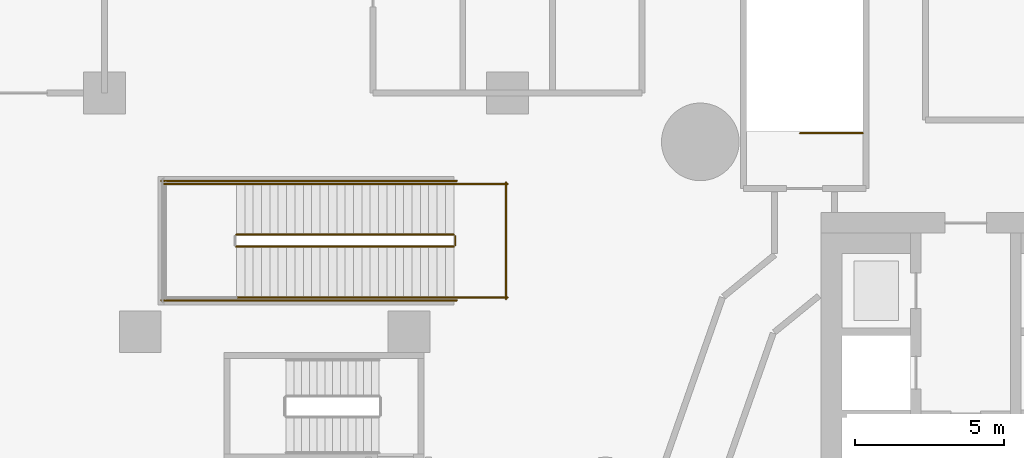
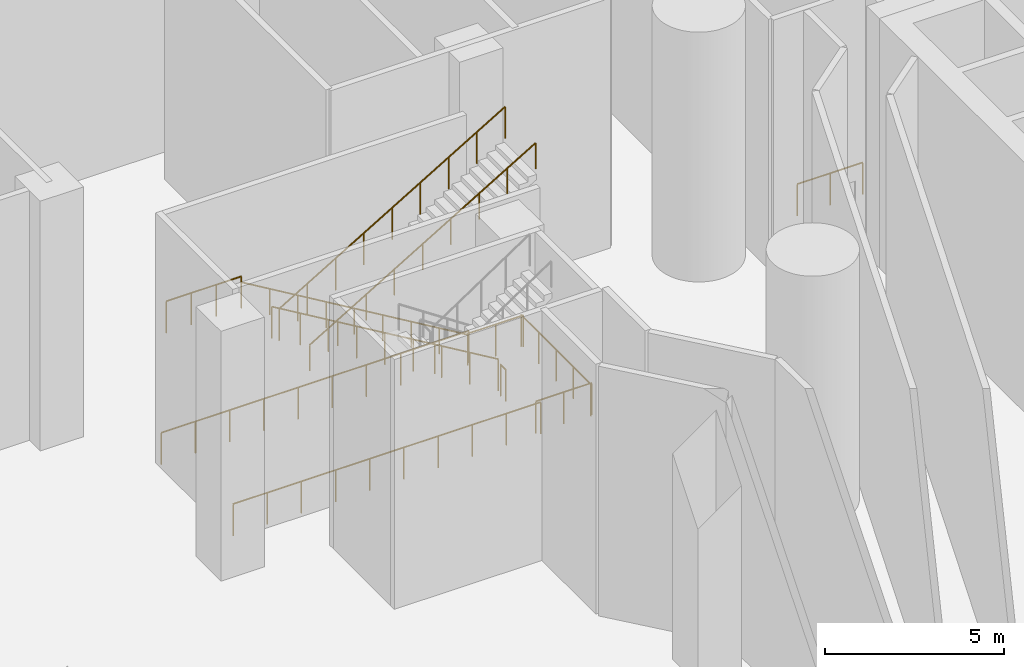
# One storey, part 46 of 54: 12 railings.
"""IFC4 building model written with IfcOpenShell, lengths in metres."""

from ifc_helpers import new_model, si_unit, direction, frame, origin, origin_2d, place, context, subcontext, project, spatial, circle, extrude, material, type_object, element, save


model = new_model("IFC4")

# Units and contexts
model_context = context("Model", 3, precision=1e-05, world=origin(), true_north=direction((0.0, 1.0)))
body_context = subcontext(model_context, "Body", "Model", "MODEL_VIEW")
ifc_project = project(units=[si_unit("LENGTHUNIT", "METRE"), si_unit("AREAUNIT", "SQUARE_METRE"), si_unit("VOLUMEUNIT", "CUBIC_METRE"), si_unit("PLANEANGLEUNIT", "RADIAN"), si_unit("MASSUNIT", "GRAM", prefix="KILO")], contexts=[model_context])

# Site, building, storey
site_placement = place(None, origin())
site = spatial("IfcSite", under=ifc_project, at=site_placement, CompositionType="ELEMENT")
building_placement = place(site_placement, origin())
building = spatial("IfcBuilding", under=site, at=building_placement, Name="Tamarind Cross Interchange Tower", CompositionType="ELEMENT")
storey_placement = place(building_placement, origin())
storey = spatial("IfcBuildingStorey", under=building, at=storey_placement, Name="L00", CompositionType="ELEMENT", Elevation=0.0)

# Railings
ifc_material_1 = material(Name="Public stair guard")
railing_type_1 = type_object("IfcRailingType", Name="Public stair guard", PredefinedType="GUARDRAIL", material=ifc_material_1)
railing_1_placement = place(storey_placement, frame((-28.800048828125, 8.75, 0.166748046875)))
element("IfcRailing", 1, at=railing_1_placement, inside=storey, type_object=railing_type_1, Name="L00 PS-W stair guard 1", PredefinedType="GUARDRAIL", context=body_context, shape_type="SweptSolid", body=[
    extrude(circle(Radius=0.02392578125, at=origin_2d()), frame((0.0, 0.0, 1.076171875), z_axis=(-0.859298010897, 0.0, 0.511475247171), x_axis=(0.0, -1.0, 0.0)), (0.0, 0.0, 1.0), 8.47216796875),
    extrude(circle(Radius=0.02099609375, at=origin_2d()), origin(), (0.0, 0.0, 1.0), 1.052001953125),
    extrude(circle(Radius=0.02099609375, at=origin_2d()), frame((-0.909912109375, 0.0, 0.541748046875)), (0.0, 0.0, 1.0), 1.052001953125),
    extrude(circle(Radius=0.02099609375, at=origin_2d()), frame((-1.820068359375, 0.0, 1.083251953125)), (0.0, 0.0, 1.0), 1.052001953125),
    extrude(circle(Radius=0.02099609375, at=origin_2d()), frame((-2.72998046875, 0.0, 1.625)), (0.0, 0.0, 1.0), 1.052001953125),
    extrude(circle(Radius=0.02099609375, at=origin_2d()), frame((-3.64013671875, 0.0, 2.16650390625)), (0.0, 0.0, 1.0), 1.052001953125),
    extrude(circle(Radius=0.02099609375, at=origin_2d()), frame((-4.550048828125, 0.0, 2.708251953125)), (0.0, 0.0, 1.0), 1.052001953125),
    extrude(circle(Radius=0.02099609375, at=origin_2d()), frame((-5.4599609375, 0.0, 3.25)), (0.0, 0.0, 1.0), 1.052001953125),
    extrude(circle(Radius=0.02099609375, at=origin_2d()), frame((-6.3701171875, 0.0, 3.79150390625)), (0.0, 0.0, 1.0), 1.052001953125),
    extrude(circle(Radius=0.02099609375, at=origin_2d()), frame((-7.280029296875, 0.0, 4.333251953125)), (0.0, 0.0, 1.0), 1.052001953125),
])
railing_2_placement = place(storey_placement, frame((-36.080078125, 10.449951171875, 4.5)))
element("IfcRailing", 2, at=railing_2_placement, inside=storey, type_object=railing_type_1, Name="L00 PS-W stair guard 3", PredefinedType="GUARDRAIL", context=body_context, shape_type="SweptSolid", body=[
    extrude(circle(Radius=0.02392578125, at=origin_2d()), frame((0.0, 0.0, 1.076171875), z_axis=(-1.0, 0.0, 0.0), x_axis=(0.0, -1.0, 0.0)), (0.0, 0.0, 1.0), 2.419921875),
    extrude(circle(Radius=0.02099609375, at=origin_2d()), origin(), (0.0, 0.0, 1.0), 1.052001953125),
    extrude(circle(Radius=0.02099609375, at=origin_2d()), frame((-0.806640625, 0.0, 0.0)), (0.0, 0.0, 1.0), 1.052001953125),
    extrude(circle(Radius=0.02099609375, at=origin_2d()), frame((-1.61328125, 0.0, 0.0)), (0.0, 0.0, 1.0), 1.052001953125),
    extrude(circle(Radius=0.02099609375, at=origin_2d()), frame((-2.419921875, 0.0, 0.0)), (0.0, 0.0, 1.0), 1.052001953125),
])
railing_3_placement = place(storey_placement, frame((-36.080078125, 8.35009765625, 4.666748046875)))
element("IfcRailing", 3, at=railing_3_placement, inside=storey, type_object=railing_type_1, Name="L00 PS-W stair guard 6", PredefinedType="GUARDRAIL", context=body_context, shape_type="SweptSolid", body=[
    extrude(circle(Radius=0.02392578125, at=origin_2d()), frame((0.0, 0.0, 1.076171875), z_axis=(0.859298010897, 0.0, 0.511475247171), x_axis=(0.0, 1.0, 0.0)), (0.0, 0.0, 1.0), 8.47216796875),
    extrude(circle(Radius=0.02099609375, at=origin_2d()), origin(), (0.0, 0.0, 1.0), 1.052001953125),
    extrude(circle(Radius=0.02099609375, at=origin_2d()), frame((0.909912109375, 0.0, 0.541748046875)), (0.0, 0.0, 1.0), 1.052001953125),
    extrude(circle(Radius=0.02099609375, at=origin_2d()), frame((1.820068359375, 0.0, 1.083251953125)), (0.0, 0.0, 1.0), 1.052001953125),
    extrude(circle(Radius=0.02099609375, at=origin_2d()), frame((2.72998046875, 0.0, 1.625)), (0.0, 0.0, 1.0), 1.052001953125),
    extrude(circle(Radius=0.02099609375, at=origin_2d()), frame((3.64013671875, 0.0, 2.16650390625)), (0.0, 0.0, 1.0), 1.052001953125),
    extrude(circle(Radius=0.02099609375, at=origin_2d()), frame((4.550048828125, 0.0, 2.708251953125)), (0.0, 0.0, 1.0), 1.052001953125),
    extrude(circle(Radius=0.02099609375, at=origin_2d()), frame((5.4599609375, 0.0, 3.25)), (0.0, 0.0, 1.0), 1.052001953125),
    extrude(circle(Radius=0.02099609375, at=origin_2d()), frame((6.3701171875, 0.0, 3.79150390625)), (0.0, 0.0, 1.0), 1.052001953125),
    extrude(circle(Radius=0.02099609375, at=origin_2d()), frame((7.280029296875, 0.0, 4.333251953125)), (0.0, 0.0, 1.0), 1.052001953125),
])
railing_4_placement = place(storey_placement, frame((-28.75, 8.699951171875, 0.0)))
element("IfcRailing", 4, at=railing_4_placement, inside=storey, type_object=railing_type_1, Name="L00 PS-W stair guard 7", PredefinedType="GUARDRAIL", context=body_context, shape_type="SweptSolid", body=[
    extrude(circle(Radius=0.02392578125, at=origin_2d()), frame((0.0, 0.0, 1.076171875), z_axis=(0.0, -1.0, 0.0), x_axis=(1.0, 0.0, 0.0)), (0.0, 0.0, 1.0), 0.300048828125),
    extrude(circle(Radius=0.02099609375, at=origin_2d()), origin(), (0.0, 0.0, 1.0), 1.052001953125),
    extrude(circle(Radius=0.02099609375, at=origin_2d()), frame((0.0, -0.300048828125, 0.0)), (0.0, 0.0, 1.0), 1.052001953125),
])
for number, where, name in (
    (5, (-27.0, 10.449951171875, 0.0), "L00 PS-W stair guard 8"),
    (6, (-27.0, 6.64990234375, 0.0), "L00 PS-W stair guard 9"),
):
    element("IfcRailing", number, at=place(storey_placement, frame(where)), inside=storey, type_object=railing_type_1, Name=name, PredefinedType="GUARDRAIL", context=body_context, shape_type="SweptSolid", body=[
        extrude(circle(Radius=0.02392578125, at=origin_2d()), frame((0.0, 0.0, 1.076171875), z_axis=(-1.0, 0.0, 0.0), x_axis=(0.0, -1.0, 0.0)), (0.0, 0.0, 1.0), 1.800048828125),
        extrude(circle(Radius=0.02099609375, at=origin_2d()), origin(), (0.0, 0.0, 1.0), 1.052001953125),
        extrude(circle(Radius=0.02099609375, at=origin_2d()), frame((-0.89990234375, 0.0, 0.0)), (0.0, 0.0, 1.0), 1.052001953125),
        extrude(circle(Radius=0.02099609375, at=origin_2d()), frame((-1.800048828125, 0.0, 0.0)), (0.0, 0.0, 1.0), 1.052001953125),
    ])
railing_5_placement = place(storey_placement, frame((-27.050048828125, 10.5, 0.0)))
element("IfcRailing", 7, at=railing_5_placement, inside=storey, type_object=railing_type_1, Name="L00 PS-W stair guard 10", PredefinedType="GUARDRAIL", context=body_context, shape_type="SweptSolid", body=[
    extrude(circle(Radius=0.02392578125, at=origin_2d()), frame((0.0, 0.0, 1.076171875), z_axis=(0.0, -1.0, 0.0), x_axis=(1.0, 0.0, 0.0)), (0.0, 0.0, 1.0), 3.89990234375),
    extrude(circle(Radius=0.02099609375, at=origin_2d()), origin(), (0.0, 0.0, 1.0), 1.052001953125),
    extrude(circle(Radius=0.02099609375, at=origin_2d()), frame((0.0, -0.97509765625, 0.0)), (0.0, 0.0, 1.0), 1.052001953125),
    extrude(circle(Radius=0.02099609375, at=origin_2d()), frame((0.0, -1.949951171875, 0.0)), (0.0, 0.0, 1.0), 1.052001953125),
    extrude(circle(Radius=0.02099609375, at=origin_2d()), frame((0.0, -2.9248046875, 0.0)), (0.0, 0.0, 1.0), 1.052001953125),
    extrude(circle(Radius=0.02099609375, at=origin_2d()), frame((0.0, -3.89990234375, 0.0)), (0.0, 0.0, 1.0), 1.052001953125),
])
for number, where, name in (
    (8, (-28.699951171875, 10.550048828125, 0.0), "L00 PS-W stair guard 11"),
    (9, (-28.699951171875, 6.550048828125, 0.0), "L00 PS-W stair guard 12"),
):
    element("IfcRailing", number, at=place(storey_placement, frame(where)), inside=storey, type_object=railing_type_1, Name=name, PredefinedType="GUARDRAIL", context=body_context, shape_type="SweptSolid", body=[
        extrude(circle(Radius=0.02392578125, at=origin_2d()), frame((0.0, 0.0, 1.076171875), z_axis=(-1.0, 0.0, 0.0), x_axis=(0.0, -1.0, 0.0)), (0.0, 0.0, 1.0), 9.900146484375),
        extrude(circle(Radius=0.02099609375, at=origin_2d()), origin(), (0.0, 0.0, 1.0), 1.052001953125),
        extrude(circle(Radius=0.02099609375, at=origin_2d()), frame((-1.10009765625, 0.0, 0.0)), (0.0, 0.0, 1.0), 1.052001953125),
        extrude(circle(Radius=0.02099609375, at=origin_2d()), frame((-2.199951171875, 0.0, 0.0)), (0.0, 0.0, 1.0), 1.052001953125),
        extrude(circle(Radius=0.02099609375, at=origin_2d()), frame((-3.300048828125, 0.0, 0.0)), (0.0, 0.0, 1.0), 1.052001953125),
        extrude(circle(Radius=0.02099609375, at=origin_2d()), frame((-4.400146484375, 0.0, 0.0)), (0.0, 0.0, 1.0), 1.052001953125),
        extrude(circle(Radius=0.02099609375, at=origin_2d()), frame((-5.5, 0.0, 0.0)), (0.0, 0.0, 1.0), 1.052001953125),
        extrude(circle(Radius=0.02099609375, at=origin_2d()), frame((-6.60009765625, 0.0, 0.0)), (0.0, 0.0, 1.0), 1.052001953125),
        extrude(circle(Radius=0.02099609375, at=origin_2d()), frame((-7.7001953125, 0.0, 0.0)), (0.0, 0.0, 1.0), 1.052001953125),
        extrude(circle(Radius=0.02099609375, at=origin_2d()), frame((-8.800048828125, 0.0, 0.0)), (0.0, 0.0, 1.0), 1.052001953125),
        extrude(circle(Radius=0.02099609375, at=origin_2d()), frame((-9.900146484375, 0.0, 0.0)), (0.0, 0.0, 1.0), 1.052001953125),
    ])
railing_6_placement = place(storey_placement, frame((-15.10009765625, 12.14990234375, 0.0)))
element("IfcRailing", 10, at=railing_6_placement, inside=storey, type_object=railing_type_1, Name="L00 XS-W top well guard 1", PredefinedType="GUARDRAIL", context=body_context, shape_type="SweptSolid", body=[
    extrude(circle(Radius=0.02392578125, at=origin_2d()), frame((0.0, 0.0, 1.076171875), z_axis=(-1.0, 0.0, 0.0), x_axis=(0.0, -1.0, 0.0)), (0.0, 0.0, 1.0), 2.099853515625),
    extrude(circle(Radius=0.02099609375, at=origin_2d()), origin(), (0.0, 0.0, 1.0), 1.052001953125),
    extrude(circle(Radius=0.02099609375, at=origin_2d()), frame((-1.0498046875, 0.0, 0.0)), (0.0, 0.0, 1.0), 1.052001953125),
    extrude(circle(Radius=0.02099609375, at=origin_2d()), frame((-2.099853515625, 0.0, 0.0)), (0.0, 0.0, 1.0), 1.052001953125),
])
ifc_material_2 = material(Name="Public stair handrail")
railing_type_2 = type_object("IfcRailingType", Name="Public stair handrail", PredefinedType="HANDRAIL", material=ifc_material_2)
railing_7_placement = place(storey_placement, frame((-28.800048828125, 10.449951171875, 0.166748046875)))
element("IfcRailing", 11, at=railing_7_placement, inside=storey, type_object=railing_type_2, Name="L00 PS-W stair handrail 1", PredefinedType="HANDRAIL", context=body_context, shape_type="SweptSolid", body=[
    extrude(circle(Radius=0.02392578125, at=origin_2d()), frame((0.0, 0.0, 0.8759765625), z_axis=(-0.859298010897, 0.0, 0.511475247171), x_axis=(0.0, -1.0, 0.0)), (0.0, 0.0, 1.0), 8.47216796875),
    extrude(circle(Radius=0.02099609375, at=origin_2d()), origin(), (0.0, 0.0, 1.0), 0.851806640625),
    extrude(circle(Radius=0.02099609375, at=origin_2d()), frame((-0.909912109375, 0.0, 0.541748046875)), (0.0, 0.0, 1.0), 0.851806640625),
    extrude(circle(Radius=0.02099609375, at=origin_2d()), frame((-1.820068359375, 0.0, 1.083251953125)), (0.0, 0.0, 1.0), 0.851806640625),
    extrude(circle(Radius=0.02099609375, at=origin_2d()), frame((-2.72998046875, 0.0, 1.625)), (0.0, 0.0, 1.0), 0.851806640625),
    extrude(circle(Radius=0.02099609375, at=origin_2d()), frame((-3.64013671875, 0.0, 2.16650390625)), (0.0, 0.0, 1.0), 0.851806640625),
    extrude(circle(Radius=0.02099609375, at=origin_2d()), frame((-4.550048828125, 0.0, 2.708251953125)), (0.0, 0.0, 1.0), 0.851806640625),
    extrude(circle(Radius=0.02099609375, at=origin_2d()), frame((-5.4599609375, 0.0, 3.25)), (0.0, 0.0, 1.0), 0.851806640625),
    extrude(circle(Radius=0.02099609375, at=origin_2d()), frame((-6.3701171875, 0.0, 3.79150390625)), (0.0, 0.0, 1.0), 0.851806640625),
    extrude(circle(Radius=0.02099609375, at=origin_2d()), frame((-7.280029296875, 0.0, 4.333251953125)), (0.0, 0.0, 1.0), 0.851806640625),
])
railing_8_placement = place(storey_placement, frame((-36.080078125, 6.64990234375, 4.666748046875)))
element("IfcRailing", 12, at=railing_8_placement, inside=storey, type_object=railing_type_2, Name="L00 PS-W stair handrail 2", PredefinedType="HANDRAIL", context=body_context, shape_type="SweptSolid", body=[
    extrude(circle(Radius=0.02392578125, at=origin_2d()), frame((0.0, 0.0, 0.8759765625), z_axis=(0.859298010897, 0.0, 0.511475247171), x_axis=(0.0, 1.0, 0.0)), (0.0, 0.0, 1.0), 8.47216796875),
    extrude(circle(Radius=0.02099609375, at=origin_2d()), origin(), (0.0, 0.0, 1.0), 0.851806640625),
    extrude(circle(Radius=0.02099609375, at=origin_2d()), frame((0.909912109375, 0.0, 0.541748046875)), (0.0, 0.0, 1.0), 0.851806640625),
    extrude(circle(Radius=0.02099609375, at=origin_2d()), frame((1.820068359375, 0.0, 1.083251953125)), (0.0, 0.0, 1.0), 0.851806640625),
    extrude(circle(Radius=0.02099609375, at=origin_2d()), frame((2.72998046875, 0.0, 1.625)), (0.0, 0.0, 1.0), 0.851806640625),
    extrude(circle(Radius=0.02099609375, at=origin_2d()), frame((3.64013671875, 0.0, 2.16650390625)), (0.0, 0.0, 1.0), 0.851806640625),
    extrude(circle(Radius=0.02099609375, at=origin_2d()), frame((4.550048828125, 0.0, 2.708251953125)), (0.0, 0.0, 1.0), 0.851806640625),
    extrude(circle(Radius=0.02099609375, at=origin_2d()), frame((5.4599609375, 0.0, 3.25)), (0.0, 0.0, 1.0), 0.851806640625),
    extrude(circle(Radius=0.02099609375, at=origin_2d()), frame((6.3701171875, 0.0, 3.79150390625)), (0.0, 0.0, 1.0), 0.851806640625),
    extrude(circle(Radius=0.02099609375, at=origin_2d()), frame((7.280029296875, 0.0, 4.333251953125)), (0.0, 0.0, 1.0), 0.851806640625),
])

save(model, "model.ifc")
